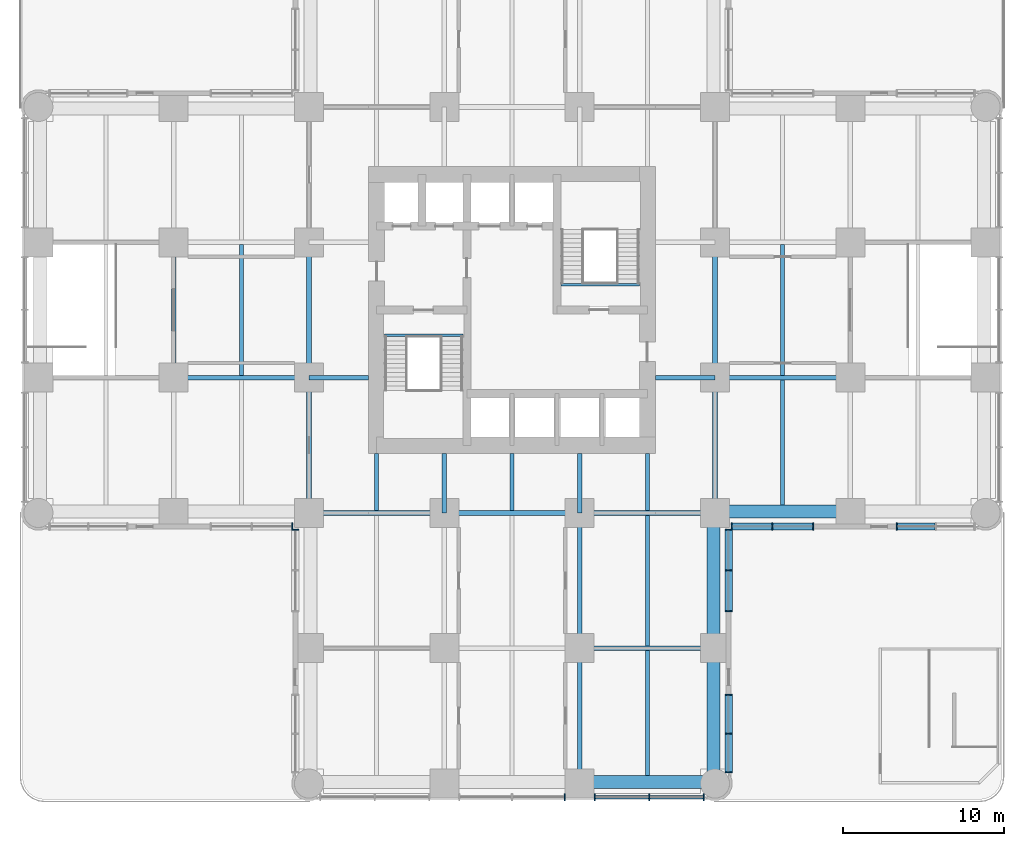
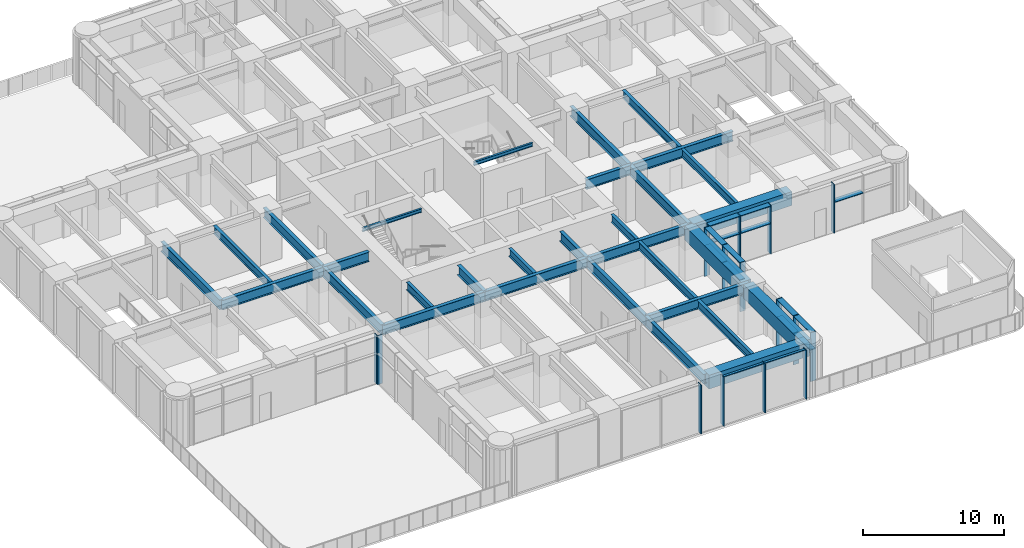
# One storey, part 3 of 21: 31 beams, 31 members, 7 elements without a shape of their own.
"""IFC4 building model written with IfcOpenShell, lengths in metres."""

from ifc_helpers import new_model, si_unit, direction, frame, origin, origin_2d, place, context, subcontext, project, spatial, rectangle, i_section, extrude, material, material_profile, profile_set, type_object, element, aggregate, save


model = new_model("IFC4")

# Units and contexts
model_context = context("Model", 3, precision=1e-05, world=origin(), true_north=direction((0.0, 1.0)))
body_context = subcontext(model_context, "Body", "Model", "MODEL_VIEW")
ifc_project = project(units=[si_unit("LENGTHUNIT", "METRE"), si_unit("AREAUNIT", "SQUARE_METRE"), si_unit("VOLUMEUNIT", "CUBIC_METRE"), si_unit("PLANEANGLEUNIT", "RADIAN"), si_unit("MASSUNIT", "GRAM", prefix="KILO")], contexts=[model_context])

# Site, building, storey
site_placement = place(None, origin())
site = spatial("IfcSite", under=ifc_project, at=site_placement, CompositionType="ELEMENT")
building_placement = place(site_placement, origin())
building = spatial("IfcBuilding", under=site, at=building_placement, Name="Torre Alcanfor", CompositionType="ELEMENT")
storey_placement = place(building_placement, frame((0.0, 0.0, 24.0)))
storey = spatial("IfcBuildingStorey", under=building, at=storey_placement, Name="L05", CompositionType="ELEMENT", Elevation=24.0)

# Curtain wall, members
ifc_material_1 = material(Name="Aluminium and glass", Category="aluminium")
curtain_wall_type_1 = type_object("IfcCurtainWallType", Name="CW-B unitised classroom glazing with vertical FIN", PredefinedType="NOTDEFINED", material=ifc_material_1)
curtain_wall_1_placement = place(storey_placement, origin())
curtain_wall_1 = element("IfcCurtainWall", 1, at=curtain_wall_1_placement, inside=storey, type_object=curtain_wall_type_1, Name="Curtain wall CW-B L05 5", PredefinedType="NOTDEFINED")
ifc_material_2 = material(Name="Bronze anodised aluminium", Category="aluminium")
ifc_material_profile_1 = material_profile(ifc_material_2, rectangle(XDim=0.449951171875, YDim=0.06494140625, at=origin_2d()), Name="CW-B mullion 65x450")
ifc_profile_set_1 = profile_set([ifc_material_profile_1], Name="Bronze anodised aluminium")
member_type_1 = type_object("IfcMemberType", Name="CW-B mullion with vertical FIN 65x450", PredefinedType="MULLION", material=ifc_profile_set_1)
member_1_placement = place(storey_placement, frame((32.66259765625, -0.85009765625, 0.0), z_axis=(0.0, 0.0, 1.0), x_axis=(0.0, 1.0, 0.0)))
member_1 = element("IfcMember", 2, at=member_1_placement, type_object=member_type_1, Name="CW-B mullion 2.3", PredefinedType="MULLION", context=body_context, shape_type="SweptSolid", body=[
    extrude(rectangle(XDim=0.449951171875, YDim=0.06494140625, at=origin_2d()), origin(), (0.0, 0.0, 1.0), 4.25),
])
member_2_placement = place(storey_placement, frame((34.53759765625, -0.85009765625, 0.0), z_axis=(0.0, 0.0, 1.0), x_axis=(0.0, 1.0, 0.0)))
member_2 = element("IfcMember", 3, at=member_2_placement, type_object=member_type_1, Name="CW-B mullion 3.1", PredefinedType="MULLION", context=body_context, shape_type="SweptSolid", body=[
    extrude(rectangle(XDim=0.449951171875, YDim=0.06494140625, at=origin_2d()), origin(), (0.0, 0.0, 1.0), 4.25),
])
member_3_placement = place(storey_placement, frame((37.92529296875, -0.85009765625, 0.0), z_axis=(0.0, 0.0, 1.0), x_axis=(0.0, 1.0, 0.0)))
member_3 = element("IfcMember", 4, at=member_3_placement, type_object=member_type_1, Name="CW-B mullion 3.2", PredefinedType="MULLION", context=body_context, shape_type="SweptSolid", body=[
    extrude(rectangle(XDim=0.449951171875, YDim=0.06494140625, at=origin_2d()), origin(), (0.0, 0.0, 1.0), 4.25),
])
member_4_placement = place(storey_placement, frame((41.31298828125, -0.85009765625, 0.0), z_axis=(0.0, 0.0, 1.0), x_axis=(0.0, 1.0, 0.0)))
member_4 = element("IfcMember", 5, at=member_4_placement, type_object=member_type_1, Name="CW-B mullion 3.3", PredefinedType="MULLION", context=body_context, shape_type="SweptSolid", body=[
    extrude(rectangle(XDim=0.449951171875, YDim=0.06494140625, at=origin_2d()), origin(), (0.0, 0.0, 1.0), 4.25),
])
ifc_material_3 = material(Name="Extruded aluminium", Category="aluminium")
ifc_material_profile_2 = material_profile(ifc_material_3, rectangle(XDim=0.199951171875, YDim=0.06494140625, at=origin_2d()), Name="CW-B transom 200x65")
ifc_profile_set_2 = profile_set([ifc_material_profile_2], Name="Extruded aluminium")
member_type_2 = type_object("IfcMemberType", Name="CW-B transom 65x200", PredefinedType="USERDEFINED", material=ifc_profile_set_2)
member_5_placement = place(storey_placement, frame((34.570068359375, -0.85009765625, 4.217529296875), z_axis=(1.0, 0.0, 0.0), x_axis=(0.0, 1.0, 0.0)))
member_5 = element("IfcMember", 6, at=member_5_placement, type_object=member_type_2, Name="CW-B transom 3.1.2", ObjectType="TRANSOM", PredefinedType="USERDEFINED", context=body_context, shape_type="SweptSolid", body=[
    extrude(rectangle(XDim=0.199951171875, YDim=0.06494140625, at=origin_2d()), origin(), (0.0, 0.0, 1.0), 3.32275390625),
])
member_6_placement = place(storey_placement, frame((37.957763671875, -0.85009765625, 4.217529296875), z_axis=(1.0, 0.0, 0.0), x_axis=(0.0, 1.0, 0.0)))
member_6 = element("IfcMember", 7, at=member_6_placement, type_object=member_type_2, Name="CW-B transom 3.2.2", ObjectType="TRANSOM", PredefinedType="USERDEFINED", context=body_context, shape_type="SweptSolid", body=[
    extrude(rectangle(XDim=0.199951171875, YDim=0.06494140625, at=origin_2d()), origin(), (0.0, 0.0, 1.0), 3.32275390625),
])
aggregate(curtain_wall_1, [member_1, member_2, member_3, member_4, member_5, member_6])

ifc_material_4 = material(Name="Aluminium and glass", Category="aluminium")
curtain_wall_type_2 = type_object("IfcCurtainWallType", Name="CW-F south classroom glazing with SUNSHADE transom", PredefinedType="NOTDEFINED", material=ifc_material_4)
curtain_wall_2_placement = place(storey_placement, origin())
curtain_wall_2 = element("IfcCurtainWall", 8, at=curtain_wall_2_placement, inside=storey, type_object=curtain_wall_type_2, Name="Curtain wall CW-F L05 6", PredefinedType="NOTDEFINED")
ifc_material_5 = material(Name="Extruded aluminium", Category="aluminium")
ifc_material_profile_3 = material_profile(ifc_material_5, rectangle(XDim=0.449951171875, YDim=0.06494140625, at=origin_2d()), Name="CW-F transom 450x65")
ifc_profile_set_3 = profile_set([ifc_material_profile_3], Name="Extruded aluminium")
member_type_3 = type_object("IfcMemberType", Name="CW-F SUNSHADE transom 65x450", PredefinedType="USERDEFINED", material=ifc_profile_set_3)
member_7_placement = place(storey_placement, frame((42.85009765625, 0.719482421875, 2.699951171875), z_axis=(0.0, 1.0, 0.0), x_axis=(-1.0, 0.0, 0.0)))
member_7 = element("IfcMember", 9, at=member_7_placement, type_object=member_type_3, Name="CW-F transom 1.1.2", ObjectType="TRANSOM", PredefinedType="USERDEFINED", context=body_context, shape_type="SweptSolid", body=[
    extrude(rectangle(XDim=0.449951171875, YDim=0.06494140625, at=origin_2d()), origin(), (0.0, 0.0, 1.0), 2.341796875),
])
member_8_placement = place(storey_placement, frame((42.85009765625, 0.719482421875, 4.217529296875), z_axis=(0.0, 1.0, 0.0), x_axis=(-1.0, 0.0, 0.0)))
member_8 = element("IfcMember", 10, at=member_8_placement, type_object=member_type_3, Name="CW-F transom 1.1.3", ObjectType="TRANSOM", PredefinedType="USERDEFINED", context=body_context, shape_type="SweptSolid", body=[
    extrude(rectangle(XDim=0.449951171875, YDim=0.06494140625, at=origin_2d()), origin(), (0.0, 0.0, 1.0), 2.341796875),
])
member_9_placement = place(storey_placement, frame((42.85009765625, 3.12646484375, 2.699951171875), z_axis=(0.0, 1.0, 0.0), x_axis=(-1.0, 0.0, 0.0)))
member_9 = element("IfcMember", 11, at=member_9_placement, type_object=member_type_3, Name="CW-F transom 1.2.2", ObjectType="TRANSOM", PredefinedType="USERDEFINED", context=body_context, shape_type="SweptSolid", body=[
    extrude(rectangle(XDim=0.449951171875, YDim=0.06494140625, at=origin_2d()), origin(), (0.0, 0.0, 1.0), 2.341796875),
])
member_10_placement = place(storey_placement, frame((42.85009765625, 3.12646484375, 4.217529296875), z_axis=(0.0, 1.0, 0.0), x_axis=(-1.0, 0.0, 0.0)))
member_10 = element("IfcMember", 12, at=member_10_placement, type_object=member_type_3, Name="CW-F transom 1.2.3", ObjectType="TRANSOM", PredefinedType="USERDEFINED", context=body_context, shape_type="SweptSolid", body=[
    extrude(rectangle(XDim=0.449951171875, YDim=0.06494140625, at=origin_2d()), origin(), (0.0, 0.0, 1.0), 2.341796875),
])

curtain_wall_3_placement = place(storey_placement, origin())
curtain_wall_3 = element("IfcCurtainWall", 13, at=curtain_wall_3_placement, inside=storey, type_object=curtain_wall_type_2, Name="Curtain wall CW-F L05 6", PredefinedType="NOTDEFINED")
member_11_placement = place(storey_placement, frame((42.85009765625, 10.731689453125, 2.699951171875), z_axis=(0.0, 1.0, 0.0), x_axis=(-1.0, 0.0, 0.0)))
member_11 = element("IfcMember", 14, at=member_11_placement, type_object=member_type_3, Name="CW-F transom 1.2", ObjectType="TRANSOM", PredefinedType="USERDEFINED", context=body_context, shape_type="SweptSolid", body=[
    extrude(rectangle(XDim=0.449951171875, YDim=0.06494140625, at=origin_2d()), origin(), (0.0, 0.0, 1.0), 2.46923828125),
])
member_12_placement = place(storey_placement, frame((42.85009765625, 10.731689453125, 4.217529296875), z_axis=(0.0, 1.0, 0.0), x_axis=(-1.0, 0.0, 0.0)))
member_12 = element("IfcMember", 15, at=member_12_placement, type_object=member_type_3, Name="CW-F transom 1.3", ObjectType="TRANSOM", PredefinedType="USERDEFINED", context=body_context, shape_type="SweptSolid", body=[
    extrude(rectangle(XDim=0.449951171875, YDim=0.06494140625, at=origin_2d()), origin(), (0.0, 0.0, 1.0), 2.46923828125),
])
member_13_placement = place(storey_placement, frame((42.85009765625, 13.265869140625, 2.699951171875), z_axis=(0.0, 1.0, 0.0), x_axis=(-1.0, 0.0, 0.0)))
member_13 = element("IfcMember", 16, at=member_13_placement, type_object=member_type_3, Name="CW-F transom 2.2", ObjectType="TRANSOM", PredefinedType="USERDEFINED", context=body_context, shape_type="SweptSolid", body=[
    extrude(rectangle(XDim=0.449951171875, YDim=0.06494140625, at=origin_2d()), origin(), (0.0, 0.0, 1.0), 2.46923828125),
])
member_14_placement = place(storey_placement, frame((42.85009765625, 13.265869140625, 4.217529296875), z_axis=(0.0, 1.0, 0.0), x_axis=(-1.0, 0.0, 0.0)))
member_14 = element("IfcMember", 17, at=member_14_placement, type_object=member_type_3, Name="CW-F transom 2.3", ObjectType="TRANSOM", PredefinedType="USERDEFINED", context=body_context, shape_type="SweptSolid", body=[
    extrude(rectangle(XDim=0.449951171875, YDim=0.06494140625, at=origin_2d()), origin(), (0.0, 0.0, 1.0), 2.46923828125),
])

curtain_wall_4_placement = place(storey_placement, origin())
curtain_wall_4 = element("IfcCurtainWall", 18, at=curtain_wall_4_placement, inside=storey, type_object=curtain_wall_type_2, Name="Curtain wall CW-F L05 7", PredefinedType="NOTDEFINED")
member_15_placement = place(storey_placement, frame((43.06494140625, 15.949951171875, 2.699951171875), z_axis=(1.0, 0.0, 0.0), x_axis=(0.0, 1.0, 0.0)))
member_15 = element("IfcMember", 19, at=member_15_placement, type_object=member_type_3, Name="CW-F transom 1.2", ObjectType="TRANSOM", PredefinedType="USERDEFINED", context=body_context, shape_type="SweptSolid", body=[
    extrude(rectangle(XDim=0.449951171875, YDim=0.06494140625, at=origin_2d()), origin(), (0.0, 0.0, 1.0), 2.46923828125),
])
member_16_placement = place(storey_placement, frame((43.06494140625, 15.949951171875, 4.217529296875), z_axis=(1.0, 0.0, 0.0), x_axis=(0.0, 1.0, 0.0)))
member_16 = element("IfcMember", 20, at=member_16_placement, type_object=member_type_3, Name="CW-F transom 1.3", ObjectType="TRANSOM", PredefinedType="USERDEFINED", context=body_context, shape_type="SweptSolid", body=[
    extrude(rectangle(XDim=0.449951171875, YDim=0.06494140625, at=origin_2d()), origin(), (0.0, 0.0, 1.0), 2.46923828125),
])
member_17_placement = place(storey_placement, frame((45.59912109375, 15.949951171875, 2.699951171875), z_axis=(1.0, 0.0, 0.0), x_axis=(0.0, 1.0, 0.0)))
member_17 = element("IfcMember", 21, at=member_17_placement, type_object=member_type_3, Name="CW-F transom 2.2", ObjectType="TRANSOM", PredefinedType="USERDEFINED", context=body_context, shape_type="SweptSolid", body=[
    extrude(rectangle(XDim=0.449951171875, YDim=0.06494140625, at=origin_2d()), origin(), (0.0, 0.0, 1.0), 2.46923828125),
])
member_18_placement = place(storey_placement, frame((45.59912109375, 15.949951171875, 4.217529296875), z_axis=(1.0, 0.0, 0.0), x_axis=(0.0, 1.0, 0.0)))
member_18 = element("IfcMember", 22, at=member_18_placement, type_object=member_type_3, Name="CW-F transom 2.3", ObjectType="TRANSOM", PredefinedType="USERDEFINED", context=body_context, shape_type="SweptSolid", body=[
    extrude(rectangle(XDim=0.449951171875, YDim=0.06494140625, at=origin_2d()), origin(), (0.0, 0.0, 1.0), 2.46923828125),
])

# Curtain wall, member
curtain_wall_5_placement = place(storey_placement, origin())
curtain_wall_5 = element("IfcCurtainWall", 23, at=curtain_wall_5_placement, inside=storey, type_object=curtain_wall_type_2, Name="Curtain wall CW-F L05 7", PredefinedType="NOTDEFINED")
member_19_placement = place(storey_placement, frame((53.331787109375, 15.949951171875, 2.699951171875), z_axis=(1.0, 0.0, 0.0), x_axis=(0.0, 1.0, 0.0)))
member_19 = element("IfcMember", 24, at=member_19_placement, type_object=member_type_3, Name="CW-F transom 1.1.2", ObjectType="TRANSOM", PredefinedType="USERDEFINED", context=body_context, shape_type="SweptSolid", body=[
    extrude(rectangle(XDim=0.449951171875, YDim=0.06494140625, at=origin_2d()), origin(), (0.0, 0.0, 1.0), 2.341796875),
])

curtain_wall_6_placement = place(storey_placement, origin())
curtain_wall_6 = element("IfcCurtainWall", 25, at=curtain_wall_6_placement, inside=storey, type_object=curtain_wall_type_2, Name="Curtain wall CW-F L05 3", PredefinedType="NOTDEFINED")
ifc_material_6 = material(Name="Bronze anodised aluminium", Category="aluminium")
ifc_material_profile_4 = material_profile(ifc_material_6, rectangle(XDim=0.449951171875, YDim=0.06494140625, at=origin_2d()), Name="CW-F mullion 65x450")
ifc_profile_set_4 = profile_set([ifc_material_profile_4], Name="Bronze anodised aluminium")
member_type_4 = type_object("IfcMemberType", Name="CW-F mullion with vertical FIN 65x450", PredefinedType="MULLION", material=ifc_profile_set_4)
member_20_placement = place(storey_placement, frame((15.767578125, 15.949951171875, 0.0), z_axis=(0.0, 0.0, 1.0), x_axis=(0.0, 1.0, 0.0)))
member_20 = element("IfcMember", 26, at=member_20_placement, type_object=member_type_4, Name="CW-F mullion 3", PredefinedType="MULLION", context=body_context, shape_type="SweptSolid", body=[
    extrude(rectangle(XDim=0.449951171875, YDim=0.06494140625, at=origin_2d()), origin(), (0.0, 0.0, 1.0), 4.25),
])
aggregate(curtain_wall_6, [member_20])

curtain_wall_7_placement = place(storey_placement, origin())
curtain_wall_7 = element("IfcCurtainWall", 27, at=curtain_wall_7_placement, inside=storey, type_object=curtain_wall_type_2, Name="Curtain wall CW-F L05 4", PredefinedType="NOTDEFINED")
member_21_placement = place(storey_placement, frame((15.949951171875, 15.767578125, 0.0), z_axis=(0.0, 0.0, 1.0), x_axis=(1.0, 0.0, 0.0)))
member_21 = element("IfcMember", 28, at=member_21_placement, type_object=member_type_4, Name="CW-F mullion 1", PredefinedType="MULLION", context=body_context, shape_type="SweptSolid", body=[
    extrude(rectangle(XDim=0.449951171875, YDim=0.06494140625, at=origin_2d()), origin(), (0.0, 0.0, 1.0), 4.25),
])
aggregate(curtain_wall_7, [member_21])

# Member
member_22_placement = place(storey_placement, frame((42.85009765625, 0.68701171875, 0.0), z_axis=(0.0, 0.0, 1.0), x_axis=(-1.0, 0.0, 0.0)))
member_22 = element("IfcMember", 29, at=member_22_placement, type_object=member_type_4, Name="CW-F mullion 1.1", PredefinedType="MULLION", context=body_context, shape_type="SweptSolid", body=[
    extrude(rectangle(XDim=0.449951171875, YDim=0.06494140625, at=origin_2d()), origin(), (0.0, 0.0, 1.0), 4.25),
])

member_23_placement = place(storey_placement, frame((42.85009765625, 3.093994140625, 0.0), z_axis=(0.0, 0.0, 1.0), x_axis=(-1.0, 0.0, 0.0)))
member_23 = element("IfcMember", 30, at=member_23_placement, type_object=member_type_4, Name="CW-F mullion 1.2", PredefinedType="MULLION", context=body_context, shape_type="SweptSolid", body=[
    extrude(rectangle(XDim=0.449951171875, YDim=0.06494140625, at=origin_2d()), origin(), (0.0, 0.0, 1.0), 4.25),
])

member_24_placement = place(storey_placement, frame((42.85009765625, 5.500732421875, 0.0), z_axis=(0.0, 0.0, 1.0), x_axis=(-1.0, 0.0, 0.0)))
member_24 = element("IfcMember", 31, at=member_24_placement, type_object=member_type_4, Name="CW-F mullion 1.3", PredefinedType="MULLION", context=body_context, shape_type="SweptSolid", body=[
    extrude(rectangle(XDim=0.449951171875, YDim=0.06494140625, at=origin_2d()), origin(), (0.0, 0.0, 1.0), 4.25),
])

aggregate(curtain_wall_2, [member_22, member_23, member_24, member_7, member_8, member_9, member_10])

member_25_placement = place(storey_placement, frame((42.85009765625, 10.69921875, 0.0), z_axis=(0.0, 0.0, 1.0), x_axis=(-1.0, 0.0, 0.0)))
member_25 = element("IfcMember", 32, at=member_25_placement, type_object=member_type_4, Name="CW-F mullion 1", PredefinedType="MULLION", context=body_context, shape_type="SweptSolid", body=[
    extrude(rectangle(XDim=0.449951171875, YDim=0.06494140625, at=origin_2d()), origin(), (0.0, 0.0, 1.0), 4.25),
])

member_26_placement = place(storey_placement, frame((42.85009765625, 13.2333984375, 0.0), z_axis=(0.0, 0.0, 1.0), x_axis=(-1.0, 0.0, 0.0)))
member_26 = element("IfcMember", 33, at=member_26_placement, type_object=member_type_4, Name="CW-F mullion 2", PredefinedType="MULLION", context=body_context, shape_type="SweptSolid", body=[
    extrude(rectangle(XDim=0.449951171875, YDim=0.06494140625, at=origin_2d()), origin(), (0.0, 0.0, 1.0), 4.25),
])

member_27_placement = place(storey_placement, frame((42.85009765625, 15.767578125, 0.0), z_axis=(0.0, 0.0, 1.0), x_axis=(-1.0, 0.0, 0.0)))
member_27 = element("IfcMember", 34, at=member_27_placement, type_object=member_type_4, Name="CW-F mullion 3", PredefinedType="MULLION", context=body_context, shape_type="SweptSolid", body=[
    extrude(rectangle(XDim=0.449951171875, YDim=0.06494140625, at=origin_2d()), origin(), (0.0, 0.0, 1.0), 4.25),
])

aggregate(curtain_wall_3, [member_25, member_26, member_27, member_11, member_12, member_13, member_14])

member_28_placement = place(storey_placement, frame((43.032470703125, 15.949951171875, 0.0), z_axis=(0.0, 0.0, 1.0), x_axis=(0.0, 1.0, 0.0)))
member_28 = element("IfcMember", 35, at=member_28_placement, type_object=member_type_4, Name="CW-F mullion 1", PredefinedType="MULLION", context=body_context, shape_type="SweptSolid", body=[
    extrude(rectangle(XDim=0.449951171875, YDim=0.06494140625, at=origin_2d()), origin(), (0.0, 0.0, 1.0), 4.25),
])

member_29_placement = place(storey_placement, frame((45.566650390625, 15.949951171875, 0.0), z_axis=(0.0, 0.0, 1.0), x_axis=(0.0, 1.0, 0.0)))
member_29 = element("IfcMember", 36, at=member_29_placement, type_object=member_type_4, Name="CW-F mullion 2", PredefinedType="MULLION", context=body_context, shape_type="SweptSolid", body=[
    extrude(rectangle(XDim=0.449951171875, YDim=0.06494140625, at=origin_2d()), origin(), (0.0, 0.0, 1.0), 4.25),
])

member_30_placement = place(storey_placement, frame((48.100830078125, 15.949951171875, 0.0), z_axis=(0.0, 0.0, 1.0), x_axis=(0.0, 1.0, 0.0)))
member_30 = element("IfcMember", 37, at=member_30_placement, type_object=member_type_4, Name="CW-F mullion 3", PredefinedType="MULLION", context=body_context, shape_type="SweptSolid", body=[
    extrude(rectangle(XDim=0.449951171875, YDim=0.06494140625, at=origin_2d()), origin(), (0.0, 0.0, 1.0), 4.25),
])

aggregate(curtain_wall_4, [member_28, member_29, member_30, member_15, member_16, member_17, member_18])

member_31_placement = place(storey_placement, frame((53.29931640625, 15.949951171875, 0.0), z_axis=(0.0, 0.0, 1.0), x_axis=(0.0, 1.0, 0.0)))
member_31 = element("IfcMember", 38, at=member_31_placement, type_object=member_type_4, Name="CW-F mullion 1.1", PredefinedType="MULLION", context=body_context, shape_type="SweptSolid", body=[
    extrude(rectangle(XDim=0.449951171875, YDim=0.06494140625, at=origin_2d()), origin(), (0.0, 0.0, 1.0), 4.25),
])

aggregate(curtain_wall_5, [member_31, member_19])

# Beams
ifc_material_7 = material(Name="Steel ASTM A992 Grade 50", Category="steel")
ifc_material_profile_5 = material_profile(ifc_material_7, i_section(OverallWidth=0.2919921875, OverallDepth=0.8408203125, WebThickness=0.0146484375, FlangeThickness=0.021728515625, at=origin_2d()), Name="W33x130")
ifc_profile_set_5 = profile_set([ifc_material_profile_5], Name="Steel ASTM A992 Grade 50")
beam_type_1 = type_object("IfcBeamType", Name="Girder W33x130", PredefinedType="BEAM", material=ifc_profile_set_5)
for number, where, z_axis, x_axis, name in (
    (39, (33.60009765625, 8.39990234375, 3.82958984375), (1.0, 0.0, 0.0), (0.0, 1.0, 0.0), "Beam 5D-6D under L06"),
    (40, (16.800048828125, 16.800048828125, 3.82958984375), (1.0, 0.0, 0.0), (0.0, 1.0, 0.0), "Beam 3E-4E under L06"),
):
    element("IfcBeam", number, at=place(storey_placement, frame(where, z_axis=z_axis, x_axis=x_axis)), inside=storey, type_object=beam_type_1, Name=name, PredefinedType="BEAM", context=body_context, shape_type="SweptSolid", body=[
        extrude(i_section(OverallWidth=0.2919921875, OverallDepth=0.8408203125, WebThickness=0.0146484375, FlangeThickness=0.021728515625, at=origin_2d()), origin(), (0.0, 0.0, 1.0), 8.39990234375),
    ])
beam_1_placement = place(storey_placement, frame((25.199951171875, 16.800048828125, 3.82958984375), z_axis=(1.0, 0.0, 0.0), x_axis=(0.0, 1.0, 0.0)))
element("IfcBeam", 41, at=beam_1_placement, inside=storey, type_object=beam_type_1, Name="Beam 4E-5E under L06", PredefinedType="BEAM", context=body_context, shape_type="SweptSolid", body=[
    extrude(i_section(OverallWidth=0.2919921875, OverallDepth=0.8408203125, WebThickness=0.0146484375, FlangeThickness=0.021728515625, at=origin_2d()), origin(), (0.0, 0.0, 1.0), 8.400146484375),
])
beam_2_placement = place(storey_placement, frame((33.60009765625, 16.800048828125, 3.82958984375), z_axis=(1.0, 0.0, 0.0), x_axis=(0.0, 1.0, 0.0)))
element("IfcBeam", 42, at=beam_2_placement, inside=storey, type_object=beam_type_1, Name="Beam 5E-6E under L06", PredefinedType="BEAM", context=body_context, shape_type="SweptSolid", body=[
    extrude(i_section(OverallWidth=0.2919921875, OverallDepth=0.8408203125, WebThickness=0.0146484375, FlangeThickness=0.021728515625, at=origin_2d()), origin(), (0.0, 0.0, 1.0), 8.39990234375),
])
beam_3_placement = place(storey_placement, frame((8.39990234375, 25.199951171875, 3.82958984375), z_axis=(1.0, 0.0, 0.0), x_axis=(0.0, 1.0, 0.0)))
element("IfcBeam", 43, at=beam_3_placement, inside=storey, type_object=beam_type_1, Name="Beam 2F-3F under L06", PredefinedType="BEAM", context=body_context, shape_type="SweptSolid", body=[
    extrude(i_section(OverallWidth=0.2919921875, OverallDepth=0.8408203125, WebThickness=0.0146484375, FlangeThickness=0.021728515625, at=origin_2d()), origin(), (0.0, 0.0, 1.0), 8.400146484375),
])
beam_4_placement = place(storey_placement, frame((42.0, 25.199951171875, 3.82958984375), z_axis=(1.0, 0.0, 0.0), x_axis=(0.0, 1.0, 0.0)))
element("IfcBeam", 44, at=beam_4_placement, inside=storey, type_object=beam_type_1, Name="Beam 6F-7F under L06", PredefinedType="BEAM", context=body_context, shape_type="SweptSolid", body=[
    extrude(i_section(OverallWidth=0.2919921875, OverallDepth=0.8408203125, WebThickness=0.0146484375, FlangeThickness=0.021728515625, at=origin_2d()), origin(), (0.0, 0.0, 1.0), 8.39990234375),
])
beam_5_placement = place(storey_placement, frame((8.39990234375, 25.199951171875, 3.82958984375), z_axis=(0.0, 1.0, 0.0), x_axis=(-1.0, 0.0, 0.0)))
element("IfcBeam", 45, at=beam_5_placement, inside=storey, type_object=beam_type_1, Name="Beam 2F-2G under L06", PredefinedType="BEAM", context=body_context, shape_type="SweptSolid", body=[
    extrude(i_section(OverallWidth=0.2919921875, OverallDepth=0.8408203125, WebThickness=0.0146484375, FlangeThickness=0.021728515625, at=origin_2d()), origin(), (0.0, 0.0, 1.0), 8.400146484375),
])
beam_6_placement = place(storey_placement, frame((16.800048828125, 16.800048828125, 3.82958984375), z_axis=(0.0, 1.0, 0.0), x_axis=(-1.0, 0.0, 0.0)))
element("IfcBeam", 46, at=beam_6_placement, inside=storey, type_object=beam_type_1, Name="Beam 3E-3F under L06", PredefinedType="BEAM", context=body_context, shape_type="SweptSolid", body=[
    extrude(i_section(OverallWidth=0.2919921875, OverallDepth=0.8408203125, WebThickness=0.0146484375, FlangeThickness=0.021728515625, at=origin_2d()), origin(), (0.0, 0.0, 1.0), 8.39990234375),
])
beam_7_placement = place(storey_placement, frame((16.800048828125, 25.199951171875, 3.82958984375), z_axis=(0.0, 1.0, 0.0), x_axis=(-1.0, 0.0, 0.0)))
element("IfcBeam", 47, at=beam_7_placement, inside=storey, type_object=beam_type_1, Name="Beam 3F-3G under L06", PredefinedType="BEAM", context=body_context, shape_type="SweptSolid", body=[
    extrude(i_section(OverallWidth=0.2919921875, OverallDepth=0.8408203125, WebThickness=0.0146484375, FlangeThickness=0.021728515625, at=origin_2d()), origin(), (0.0, 0.0, 1.0), 8.400146484375),
])
beam_8_placement = place(storey_placement, frame((33.60009765625, 0.0, 3.82958984375), z_axis=(0.0, 1.0, 0.0), x_axis=(-1.0, 0.0, 0.0)))
element("IfcBeam", 48, at=beam_8_placement, inside=storey, type_object=beam_type_1, Name="Beam 5C-5D under L06", PredefinedType="BEAM", context=body_context, shape_type="SweptSolid", body=[
    extrude(i_section(OverallWidth=0.2919921875, OverallDepth=0.8408203125, WebThickness=0.0146484375, FlangeThickness=0.021728515625, at=origin_2d()), origin(), (0.0, 0.0, 1.0), 8.39990234375),
])
beam_9_placement = place(storey_placement, frame((33.60009765625, 8.39990234375, 3.82958984375), z_axis=(0.0, 1.0, 0.0), x_axis=(-1.0, 0.0, 0.0)))
element("IfcBeam", 49, at=beam_9_placement, inside=storey, type_object=beam_type_1, Name="Beam 5D-5E under L06", PredefinedType="BEAM", context=body_context, shape_type="SweptSolid", body=[
    extrude(i_section(OverallWidth=0.2919921875, OverallDepth=0.8408203125, WebThickness=0.0146484375, FlangeThickness=0.021728515625, at=origin_2d()), origin(), (0.0, 0.0, 1.0), 8.400146484375),
])
beam_10_placement = place(storey_placement, frame((42.0, 16.800048828125, 3.82958984375), z_axis=(0.0, 1.0, 0.0), x_axis=(-1.0, 0.0, 0.0)))
element("IfcBeam", 50, at=beam_10_placement, inside=storey, type_object=beam_type_1, Name="Beam 6E-6F under L06", PredefinedType="BEAM", context=body_context, shape_type="SweptSolid", body=[
    extrude(i_section(OverallWidth=0.2919921875, OverallDepth=0.8408203125, WebThickness=0.0146484375, FlangeThickness=0.021728515625, at=origin_2d()), origin(), (0.0, 0.0, 1.0), 8.39990234375),
])
beam_11_placement = place(storey_placement, frame((42.0, 25.199951171875, 3.82958984375), z_axis=(0.0, 1.0, 0.0), x_axis=(-1.0, 0.0, 0.0)))
element("IfcBeam", 51, at=beam_11_placement, inside=storey, type_object=beam_type_1, Name="Beam 6F-6G under L06", PredefinedType="BEAM", context=body_context, shape_type="SweptSolid", body=[
    extrude(i_section(OverallWidth=0.2919921875, OverallDepth=0.8408203125, WebThickness=0.0146484375, FlangeThickness=0.021728515625, at=origin_2d()), origin(), (0.0, 0.0, 1.0), 8.400146484375),
])
ifc_material_8 = material(Name="Steel ASTM A992 Grade 50", Category="steel")
ifc_material_profile_6 = material_profile(ifc_material_8, i_section(OverallWidth=0.2919921875, OverallDepth=0.8408203125, WebThickness=0.0146484375, FlangeThickness=0.021728515625, at=origin_2d()), Name="W33x130")
ifc_profile_set_6 = profile_set([ifc_material_profile_6], Name="Steel ASTM A992 Grade 50")
beam_type_2 = type_object("IfcBeamType", Name="Girder, part bay W33x130", PredefinedType="BEAM", material=ifc_profile_set_6)
for number, where, z_axis, x_axis, name in (
    (52, (25.199951171875, 16.800048828125, 3.82958984375), (0.0, 1.0, 0.0), (-1.0, 0.0, 0.0), "Beam 4E-420_5 under L06"),
    (53, (33.60009765625, 16.800048828125, 3.82958984375), (0.0, 1.0, 0.0), (-1.0, 0.0, 0.0), "Beam 5E-520_5 under L06"),
    (54, (16.800048828125, 25.199951171875, 3.82958984375), (1.0, 0.0, 0.0), (0.0, 1.0, 0.0), "Beam 3F-20_5F under L06"),
    (55, (42.0, 25.199951171875, 3.82958984375), (-1.0, 0.0, 0.0), (0.0, -1.0, 0.0), "Beam 6F-38_3F under L06"),
):
    element("IfcBeam", number, at=place(storey_placement, frame(where, z_axis=z_axis, x_axis=x_axis)), inside=storey, type_object=beam_type_2, Name=name, PredefinedType="BEAM", context=body_context, shape_type="SweptSolid", body=[
        extrude(i_section(OverallWidth=0.2919921875, OverallDepth=0.8408203125, WebThickness=0.0146484375, FlangeThickness=0.021728515625, at=origin_2d()), origin(), (0.0, 0.0, 1.0), 3.699951171875),
    ])
ifc_material_9 = material(Name="Concrete f'c 70 MPa", Category="concrete")
ifc_material_profile_7 = material_profile(ifc_material_9, rectangle(XDim=0.800048828125, YDim=1.199951171875, at=origin_2d()), Name="800x1200")
ifc_profile_set_7 = profile_set([ifc_material_profile_7], Name="Concrete f'c 70 MPa")
beam_type_3 = type_object("IfcBeamType", Name="RC perimeter beam 800x1200", PredefinedType="BEAM", material=ifc_profile_set_7)
beam_12_placement = place(storey_placement, frame((33.74609375, 0.10009765625, 3.64990234375), z_axis=(1.0, 0.0, 0.0), x_axis=(0.0, 1.0, 0.0)))
element("IfcBeam", 56, at=beam_12_placement, inside=storey, type_object=beam_type_3, Name="Beam 5C-6C under L06", PredefinedType="BEAM", context=body_context, shape_type="SweptSolid", body=[
    extrude(rectangle(XDim=0.800048828125, YDim=1.199951171875, at=origin_2d()), origin(), (0.0, 0.0, 1.0), 8.25390625),
])
beam_13_placement = place(storey_placement, frame((42.14599609375, 16.89990234375, 3.64990234375), z_axis=(1.0, 0.0, 0.0), x_axis=(0.0, 1.0, 0.0)))
element("IfcBeam", 57, at=beam_13_placement, inside=storey, type_object=beam_type_3, Name="Beam 6E-7E under L06", PredefinedType="BEAM", context=body_context, shape_type="SweptSolid", body=[
    extrude(rectangle(XDim=0.800048828125, YDim=1.199951171875, at=origin_2d()), origin(), (0.0, 0.0, 1.0), 8.10791015625),
])
beam_14_placement = place(storey_placement, frame((41.89990234375, 0.0, 3.64990234375), z_axis=(0.0, 1.0, 0.0), x_axis=(-1.0, 0.0, 0.0)))
element("IfcBeam", 58, at=beam_14_placement, inside=storey, type_object=beam_type_3, Name="Beam 6C-6D under L06", PredefinedType="BEAM", context=body_context, shape_type="SweptSolid", body=[
    extrude(rectangle(XDim=0.800048828125, YDim=1.199951171875, at=origin_2d()), origin(), (0.0, 0.0, 1.0), 8.25390625),
])
beam_15_placement = place(storey_placement, frame((41.89990234375, 8.5458984375, 3.64990234375), z_axis=(0.0, 1.0, 0.0), x_axis=(-1.0, 0.0, 0.0)))
element("IfcBeam", 59, at=beam_15_placement, inside=storey, type_object=beam_type_3, Name="Beam 6D-6E under L06", PredefinedType="BEAM", context=body_context, shape_type="SweptSolid", body=[
    extrude(rectangle(XDim=0.800048828125, YDim=1.199951171875, at=origin_2d()), origin(), (0.0, 0.0, 1.0), 8.108154296875),
])
ifc_material_10 = material(Name="Steel ASTM A992 Grade 50", Category="steel")
ifc_material_profile_8 = material_profile(ifc_material_10, i_section(OverallWidth=0.25390625, OverallDepth=0.683349609375, WebThickness=0.012451171875, FlangeThickness=0.01904296875, at=origin_2d()), Name="W27x94")
ifc_profile_set_8 = profile_set([ifc_material_profile_8], Name="Steel ASTM A992 Grade 50")
beam_type_4 = type_object("IfcBeamType", Name="Secondary beam W27x94", PredefinedType="BEAM", material=ifc_profile_set_8)
beam_16_placement = place(storey_placement, frame((12.60009765625, 25.345947265625, 3.908447265625), z_axis=(0.0, 1.0, 0.0), x_axis=(-1.0, 0.0, 0.0)))
element("IfcBeam", 60, at=beam_16_placement, inside=storey, type_object=beam_type_4, Name="Beam 12_6F-12_6G under L06", PredefinedType="BEAM", context=body_context, shape_type="SweptSolid", body=[
    extrude(i_section(OverallWidth=0.25390625, OverallDepth=0.683349609375, WebThickness=0.012451171875, FlangeThickness=0.01904296875, at=origin_2d()), origin(), (0.0, 0.0, 1.0), 8.108154296875),
])
beam_17_placement = place(storey_placement, frame((37.800048828125, 0.5, 3.908447265625), z_axis=(0.0, 1.0, 0.0), x_axis=(-1.0, 0.0, 0.0)))
element("IfcBeam", 61, at=beam_17_placement, inside=storey, type_object=beam_type_4, Name="Beam 37_8C-37_8D under L06", PredefinedType="BEAM", context=body_context, shape_type="SweptSolid", body=[
    extrude(i_section(OverallWidth=0.25390625, OverallDepth=0.683349609375, WebThickness=0.012451171875, FlangeThickness=0.01904296875, at=origin_2d()), origin(), (0.0, 0.0, 1.0), 7.75390625),
])
beam_18_placement = place(storey_placement, frame((37.800048828125, 8.5458984375, 3.908447265625), z_axis=(0.0, 1.0, 0.0), x_axis=(-1.0, 0.0, 0.0)))
element("IfcBeam", 62, at=beam_18_placement, inside=storey, type_object=beam_type_4, Name="Beam 37_8D-37_8E under L06", PredefinedType="BEAM", context=body_context, shape_type="SweptSolid", body=[
    extrude(i_section(OverallWidth=0.25390625, OverallDepth=0.683349609375, WebThickness=0.012451171875, FlangeThickness=0.01904296875, at=origin_2d()), origin(), (0.0, 0.0, 1.0), 8.108154296875),
])
beam_19_placement = place(storey_placement, frame((46.199951171875, 17.300048828125, 3.908447265625), z_axis=(0.0, 1.0, 0.0), x_axis=(-1.0, 0.0, 0.0)))
element("IfcBeam", 63, at=beam_19_placement, inside=storey, type_object=beam_type_4, Name="Beam 46_2E-46_2F under L06", PredefinedType="BEAM", context=body_context, shape_type="SweptSolid", body=[
    extrude(i_section(OverallWidth=0.25390625, OverallDepth=0.683349609375, WebThickness=0.012451171875, FlangeThickness=0.01904296875, at=origin_2d()), origin(), (0.0, 0.0, 1.0), 7.75390625),
])
beam_20_placement = place(storey_placement, frame((46.199951171875, 25.345947265625, 3.908447265625), z_axis=(0.0, 1.0, 0.0), x_axis=(-1.0, 0.0, 0.0)))
element("IfcBeam", 64, at=beam_20_placement, inside=storey, type_object=beam_type_4, Name="Beam 46_2F-46_2G under L06", PredefinedType="BEAM", context=body_context, shape_type="SweptSolid", body=[
    extrude(i_section(OverallWidth=0.25390625, OverallDepth=0.683349609375, WebThickness=0.012451171875, FlangeThickness=0.01904296875, at=origin_2d()), origin(), (0.0, 0.0, 1.0), 8.108154296875),
])
ifc_material_11 = material(Name="Steel ASTM A992 Grade 50", Category="steel")
ifc_material_profile_9 = material_profile(ifc_material_11, i_section(OverallWidth=0.25390625, OverallDepth=0.683349609375, WebThickness=0.012451171875, FlangeThickness=0.01904296875, at=origin_2d()), Name="W27x94")
ifc_profile_set_9 = profile_set([ifc_material_profile_9], Name="Steel ASTM A992 Grade 50")
beam_type_5 = type_object("IfcBeamType", Name="Secondary beam, part bay W27x94", PredefinedType="BEAM", material=ifc_profile_set_9)
for number, where, z_axis, x_axis, name in (
    (65, (21.0, 16.946044921875, 3.908447265625), (0.0, 1.0, 0.0), (-1.0, 0.0, 0.0), "Beam 21E-2120_5 under L06"),
    (66, (29.39990234375, 16.946044921875, 3.908447265625), (0.0, 1.0, 0.0), (-1.0, 0.0, 0.0), "Beam 29_4E-29_420_5 under L06"),
    (67, (37.800048828125, 16.946044921875, 3.908447265625), (0.0, 1.0, 0.0), (-1.0, 0.0, 0.0), "Beam 37_8E-37_820_5 under L06"),
):
    element("IfcBeam", number, at=place(storey_placement, frame(where, z_axis=z_axis, x_axis=x_axis)), inside=storey, type_object=beam_type_5, Name=name, PredefinedType="BEAM", context=body_context, shape_type="SweptSolid", body=[
        extrude(i_section(OverallWidth=0.25390625, OverallDepth=0.683349609375, WebThickness=0.012451171875, FlangeThickness=0.01904296875, at=origin_2d()), origin(), (0.0, 0.0, 1.0), 3.553955078125),
    ])
ifc_material_12 = material(Name="Steel ASTM A992 Grade 50", Category="steel")
ifc_material_profile_10 = material_profile(ifc_material_12, i_section(OverallWidth=0.164794921875, OverallDepth=0.309814453125, WebThickness=0.005859375, FlangeThickness=0.009765625, at=origin_2d()), Name="W12x26")
ifc_profile_set_10 = profile_set([ifc_material_profile_10], Name="Steel ASTM A992 Grade 50")
beam_type_6 = type_object("IfcBeamType", Name="Stair landing beam W12x26", PredefinedType="BEAM", material=ifc_profile_set_10)
for number, where, z_axis, x_axis, name in (
    (68, (21.5, 27.83740234375, 4.14501953125), (1.0, 0.0, 0.0), (0.0, 1.0, 0.0), "Landing trimmer S1 L06"),
    (69, (32.449951171875, 30.962646484375, 4.14501953125), (1.0, 0.0, 0.0), (0.0, 1.0, 0.0), "Landing trimmer S2 L06"),
):
    element("IfcBeam", number, at=place(storey_placement, frame(where, z_axis=z_axis, x_axis=x_axis)), inside=storey, type_object=beam_type_6, Name=name, PredefinedType="BEAM", context=body_context, shape_type="SweptSolid", body=[
        extrude(i_section(OverallWidth=0.164794921875, OverallDepth=0.309814453125, WebThickness=0.005859375, FlangeThickness=0.009765625, at=origin_2d()), origin(), (0.0, 0.0, 1.0), 4.85009765625),
    ])

save(model, "model.ifc")
